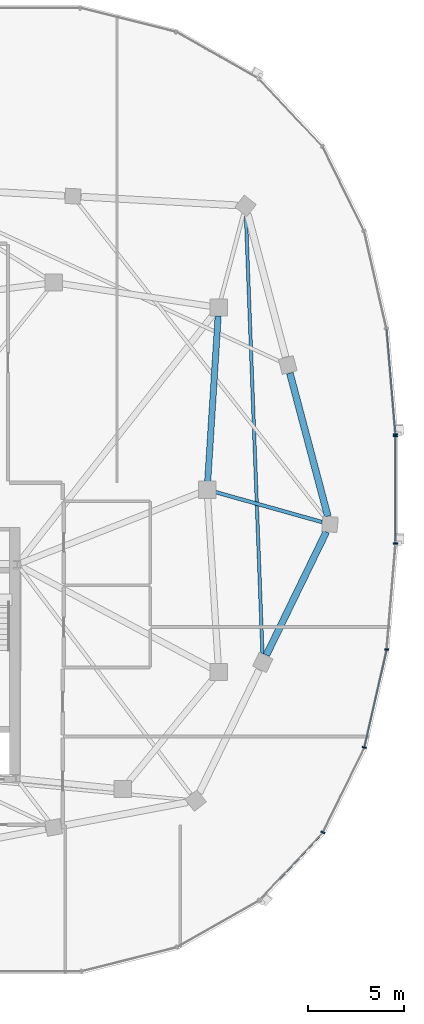
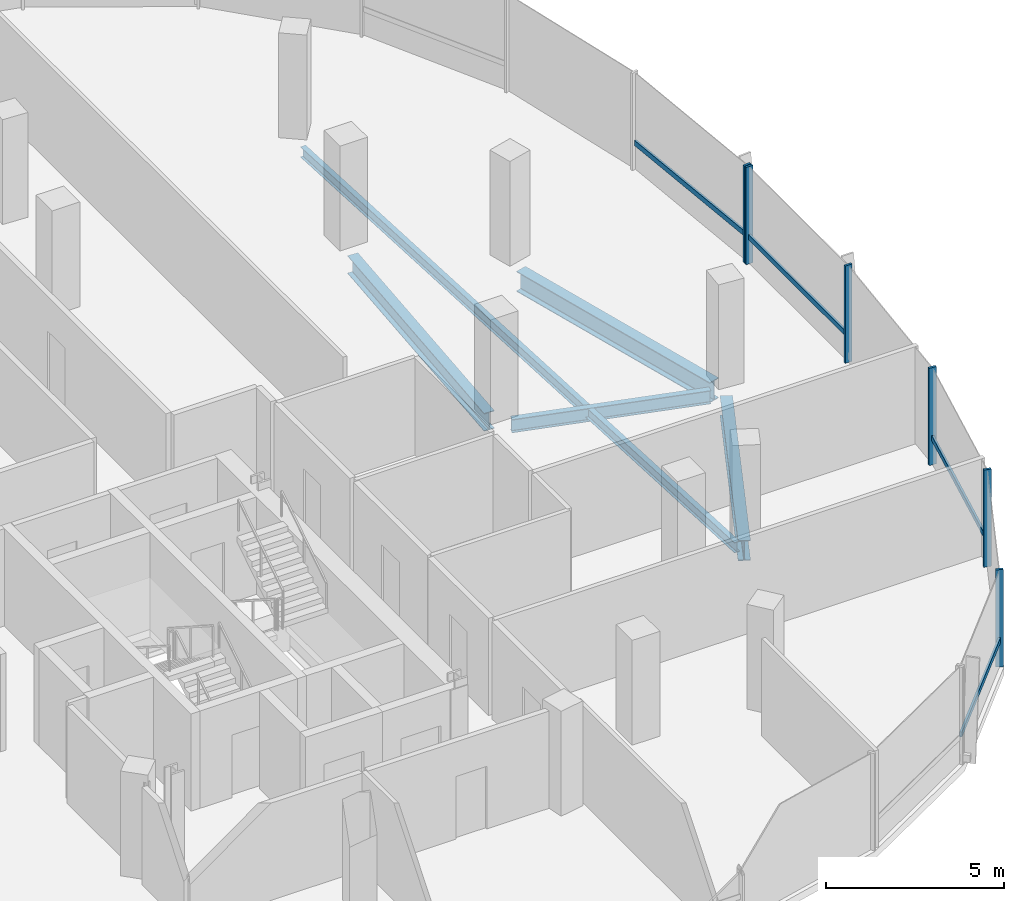
# One storey, part 9 of 25: 10 members, 5 beams, 2 elements without a shape of their own.
"""IFC4 building model written with IfcOpenShell, lengths in metres."""

from ifc_helpers import new_model, si_unit, direction, frame, origin, origin_2d, place, context, subcontext, project, spatial, rectangle, i_section, extrude, material, material_profile, profile_set, type_object, element, aggregate, save


model = new_model("IFC4")

# Units and contexts
model_context = context("Model", 3, precision=1e-05, world=origin(), true_north=direction((0.0, 1.0)))
body_context = subcontext(model_context, "Body", "Model", "MODEL_VIEW")
ifc_project = project(units=[si_unit("LENGTHUNIT", "METRE"), si_unit("AREAUNIT", "SQUARE_METRE"), si_unit("VOLUMEUNIT", "CUBIC_METRE"), si_unit("PLANEANGLEUNIT", "RADIAN"), si_unit("MASSUNIT", "GRAM", prefix="KILO"), si_unit("THERMODYNAMICTEMPERATUREUNIT", "KELVIN"), si_unit("POWERUNIT", "WATT")], contexts=[model_context])

# Site, building, storey
site_placement = place(None, origin())
site = spatial("IfcSite", under=ifc_project, at=site_placement, CompositionType="ELEMENT")
building_placement = place(site_placement, origin())
building = spatial("IfcBuilding", under=site, at=building_placement, Name="Cundina Bronze Exchange", CompositionType="ELEMENT")
storey_placement = place(building_placement, frame((0.0, 0.0, 239.60009765625)))
storey = spatial("IfcBuildingStorey", under=building, at=storey_placement, Name="L63", CompositionType="ELEMENT", Elevation=239.60009765625)

# Beams
ifc_material_1 = material(Name="Steel ASTM A992 Grade 50", Category="steel")
ifc_material_profile_1 = material_profile(ifc_material_1, i_section(OverallWidth=0.19091796875, OverallDepth=0.4599609375, WebThickness=0.010009765625, FlangeThickness=0.01611328125, FilletRadius=0.011962890625, at=origin_2d()), Name="W18X55", Category="steel")
ifc_profile_set_1 = profile_set([ifc_material_profile_1], Name="Steel ASTM A992 Grade 50")
beam_type_1 = type_object("IfcBeamType", Name="BM-FLR-W18B", PredefinedType="BEAM", material=ifc_profile_set_1)
beam_1_placement = place(storey_placement, frame((41.62158203125, -0.11865234375, -0.489990234375), z_axis=(0.96265679604, -0.270724755127, 0.0), x_axis=(0.270724755127, 0.96265679604, 0.0)))
element("IfcBeam", 1, at=beam_1_placement, inside=storey, type_object=beam_type_1, Name="L63 Leg E Chordal Floor Beam 08", PredefinedType="BEAM", context=body_context, shape_type="SweptSolid", body=[
    extrude(i_section(OverallWidth=0.19091796875, OverallDepth=0.4599609375, WebThickness=0.010009765625, FlangeThickness=0.01611328125, FilletRadius=0.011962890625, at=origin_2d()), origin(), (0.0, 0.0, 1.0), 5.7724609375),
])
ifc_material_profile_2 = material_profile(ifc_material_1, i_section(OverallWidth=0.172119140625, OverallDepth=0.35791015625, WebThickness=0.0078125, FlangeThickness=0.01318359375, FilletRadius=0.010009765625, at=origin_2d()), Name="W14X38", Category="steel")
ifc_profile_set_2 = profile_set([ifc_material_profile_2], Name="Steel ASTM A992 Grade 50")
beam_type_2 = type_object("IfcBeamType", Name="BM-JST-W14", PredefinedType="JOIST", material=ifc_profile_set_2)
beam_2_placement = place(storey_placement, frame((44.08349609375, -8.562255859375, -0.439208984375), z_axis=(-0.037790216102, 0.999285694667, 0.0), x_axis=(-0.999285694667, -0.037790216102, 0.0)))
element("IfcBeam", 2, at=beam_2_placement, inside=storey, type_object=beam_type_2, Name="L63 Leg E Lobe Floor Joist 07-10", PredefinedType="JOIST", context=body_context, shape_type="SweptSolid", body=[
    extrude(i_section(OverallWidth=0.172119140625, OverallDepth=0.35791015625, WebThickness=0.0078125, FlangeThickness=0.01318359375, FilletRadius=0.010009765625, at=origin_2d()), origin(), (0.0, 0.0, 1.0), 22.94091796875),
])
ifc_material_profile_3 = material_profile(ifc_material_1, i_section(OverallWidth=0.324951171875, OverallDepth=0.615966796875, WebThickness=0.013916015625, FlangeThickness=0.021484375, FilletRadius=0.01611328125, at=origin_2d()), Name="W24X117", Category="steel")
ifc_profile_set_3 = profile_set([ifc_material_profile_3], Name="Steel ASTM A992 Grade 50")
beam_type_3 = type_object("IfcBeamType", Name="BM-RING-W24", PredefinedType="USERDEFINED", material=ifc_profile_set_3)
beam_3_placement = place(storey_placement, frame((41.2275390625, 0.43701171875, -0.568115234375), z_axis=(0.063046519736, 0.998010589297, 0.0), x_axis=(-0.998010589297, 0.063046519736, 0.0)))
element("IfcBeam", 3, at=beam_3_placement, inside=storey, type_object=beam_type_3, Name="L63 E Inner Structural Ring Girder 04", ObjectType="GIRDER", PredefinedType="USERDEFINED", context=body_context, shape_type="SweptSolid", body=[
    extrude(i_section(OverallWidth=0.324951171875, OverallDepth=0.615966796875, WebThickness=0.013916015625, FlangeThickness=0.021484375, FilletRadius=0.01611328125, at=origin_2d()), origin(), (0.0, 0.0, 1.0), 8.64306640625),
])
ifc_material_profile_4 = material_profile(ifc_material_1, i_section(OverallWidth=0.35498046875, OverallDepth=0.695068359375, WebThickness=0.015380859375, FlangeThickness=0.02490234375, FilletRadius=0.01806640625, at=origin_2d()), Name="W27X146", Category="steel")
ifc_profile_set_4 = profile_set([ifc_material_profile_4], Name="Steel ASTM A992 Grade 50")
beam_type_4 = type_object("IfcBeamType", Name="BM-RING-W27", PredefinedType="USERDEFINED", material=ifc_profile_set_4)
beam_4_placement = place(storey_placement, frame((44.29150390625, -8.606201171875, -0.607666015625), z_axis=(0.437173087764, 0.89937739094, 0.0), x_axis=(-0.89937739094, 0.437173087764, 0.0)))
element("IfcBeam", 4, at=beam_4_placement, inside=storey, type_object=beam_type_4, Name="L63 E Perimeter Ring Girder 07", ObjectType="GIRDER", PredefinedType="USERDEFINED", context=body_context, shape_type="SweptSolid", body=[
    extrude(i_section(OverallWidth=0.35498046875, OverallDepth=0.695068359375, WebThickness=0.015380859375, FlangeThickness=0.02490234375, FilletRadius=0.01806640625, at=origin_2d()), origin(), (0.0, 0.0, 1.0), 7.1298828125),
])
beam_5_placement = place(storey_placement, frame((47.48779296875, -1.376708984375, -0.607666015625), z_axis=(-0.256211934474, 0.966620631185, 0.0), x_axis=(-0.966620631185, -0.256211934474, 0.0)))
element("IfcBeam", 5, at=beam_5_placement, inside=storey, type_object=beam_type_4, Name="L63 E Perimeter Ring Girder 08", ObjectType="GIRDER", PredefinedType="USERDEFINED", context=body_context, shape_type="SweptSolid", body=[
    extrude(i_section(OverallWidth=0.35498046875, OverallDepth=0.695068359375, WebThickness=0.015380859375, FlangeThickness=0.02490234375, FilletRadius=0.01806640625, at=origin_2d()), origin(), (0.0, 0.0, 1.0), 7.710693359375),
])

# Curtain wall, member
ifc_material_2 = material(Name="Anodised Bronze Aluminium 6063-T6", Category="aluminium")
curtain_wall_type = type_object("IfcCurtainWallType", Name="CWS-SKG-BRG", PredefinedType="NOTDEFINED", material=ifc_material_2)
curtain_wall_1_placement = place(storey_placement, origin())
curtain_wall_1 = element("IfcCurtainWall", 6, at=curtain_wall_1_placement, inside=storey, type_object=curtain_wall_type, Name="L63 CW-06 Curtain Wall Run CWR-L63-E1", PredefinedType="NOTDEFINED")
ifc_material_profile_5 = material_profile(ifc_material_2, rectangle(XDim=0.074951171875, YDim=0.219970703125, at=origin_2d()), Name="AL75X220", Category="aluminium")
ifc_profile_set_5 = profile_set([ifc_material_profile_5], Name="Anodised Bronze Aluminium 6063-T6")
member_type_1 = type_object("IfcMemberType", Name="CWM-MUL-220", PredefinedType="MULLION", material=ifc_profile_set_5)
member_1_placement = place(storey_placement, frame((51.01513671875, 2.885498046875, 0.0), z_axis=(0.0, 0.0, 1.0), x_axis=(-0.083677843332, 0.99649285925, 0.0)))
member_1 = element("IfcMember", 7, at=member_1_placement, type_object=member_type_1, Name="CW-06 Mullion 1", PredefinedType="MULLION", context=body_context, shape_type="SweptSolid", body=[
    extrude(rectangle(XDim=0.074951171875, YDim=0.219970703125, at=origin_2d()), origin(), (0.0, 0.0, 1.0), 3.33984375),
])

# Curtain wall, members
curtain_wall_2_placement = place(storey_placement, origin())
curtain_wall_2 = element("IfcCurtainWall", 8, at=curtain_wall_2_placement, inside=storey, type_object=curtain_wall_type, Name="L63 CW-06 Curtain Wall Run CWR-L63-E4", PredefinedType="NOTDEFINED")
member_2_placement = place(storey_placement, frame((47.2333984375, -17.856689453125, 0.0), z_axis=(0.0, 0.0, 1.0), x_axis=(0.440566004113, 0.897720221461, 0.0)))
member_2 = element("IfcMember", 9, at=member_2_placement, type_object=member_type_1, Name="CW-06 Mullion 2", PredefinedType="MULLION", context=body_context, shape_type="SweptSolid", body=[
    extrude(rectangle(XDim=0.074951171875, YDim=0.219970703125, at=origin_2d()), origin(), (0.0, 0.0, 1.0), 3.33984375),
])
member_3_placement = place(storey_placement, frame((49.39404296875, -13.433837890625, 0.0), z_axis=(0.0, 0.0, 1.0), x_axis=(0.223250116011, 0.974761194191, 0.0)))
member_3 = element("IfcMember", 10, at=member_3_placement, type_object=member_type_1, Name="CW-06 Mullion 3", PredefinedType="MULLION", context=body_context, shape_type="SweptSolid", body=[
    extrude(rectangle(XDim=0.074951171875, YDim=0.219970703125, at=origin_2d()), origin(), (0.0, 0.0, 1.0), 3.33984375),
])
member_4_placement = place(storey_placement, frame((50.557861328125, -8.32568359375, 0.0), z_axis=(0.0, 0.0, 1.0), x_axis=(0.083677843332, 0.99649285925, 0.0)))
member_4 = element("IfcMember", 11, at=member_4_placement, type_object=member_type_1, Name="CW-06 Mullion 4", PredefinedType="MULLION", context=body_context, shape_type="SweptSolid", body=[
    extrude(rectangle(XDim=0.074951171875, YDim=0.219970703125, at=origin_2d()), origin(), (0.0, 0.0, 1.0), 3.33984375),
])
member_5_placement = place(storey_placement, frame((51.01904296875, -2.79150390625, 0.0), z_axis=(0.0, 0.0, 1.0), x_axis=(0.0, 1.0, 0.0)))
member_5 = element("IfcMember", 12, at=member_5_placement, type_object=member_type_1, Name="CW-06 Mullion 5", PredefinedType="MULLION", context=body_context, shape_type="SweptSolid", body=[
    extrude(rectangle(XDim=0.074951171875, YDim=0.219970703125, at=origin_2d()), origin(), (0.0, 0.0, 1.0), 3.33984375),
])
member_6_placement = place(storey_placement, frame((51.01904296875, 2.79150390625, 0.0), z_axis=(0.0, 0.0, 1.0), x_axis=(0.0, 1.0, 0.0)))
member_6 = element("IfcMember", 13, at=member_6_placement, type_object=member_type_1, Name="CW-06 End Mullion", PredefinedType="MULLION", context=body_context, shape_type="SweptSolid", body=[
    extrude(rectangle(XDim=0.074951171875, YDim=0.219970703125, at=origin_2d()), origin(), (0.0, 0.0, 1.0), 3.33984375),
])

# Member
ifc_material_profile_6 = material_profile(ifc_material_2, rectangle(XDim=0.070068359375, YDim=0.179931640625, at=origin_2d()), Name="AL70X180", Category="aluminium")
ifc_profile_set_6 = profile_set([ifc_material_profile_6], Name="Anodised Bronze Aluminium 6063-T6")
member_type_2 = type_object("IfcMemberType", Name="CWM-TRN-180", PredefinedType="USERDEFINED", material=ifc_profile_set_6)
member_7_placement = place(storey_placement, frame((51.01171875, 2.926513671875, 0.919921875), z_axis=(-0.083756005485, 0.996486292703, 0.0), x_axis=(-0.996486292703, -0.083756005485, 0.0)))
member_7 = element("IfcMember", 14, at=member_7_placement, type_object=member_type_2, Name="CW-06 Spandrel Transom 1", ObjectType="TRANSOM", PredefinedType="USERDEFINED", context=body_context, shape_type="SweptSolid", body=[
    extrude(rectangle(XDim=0.070068359375, YDim=0.179931640625, at=origin_2d()), origin(), (0.0, 0.0, 1.0), 5.459716796875),
])

aggregate(curtain_wall_1, [member_1, member_7])

member_8_placement = place(storey_placement, frame((43.968505859375, -21.349609375, 0.919921875), z_axis=(0.684328474899, 0.729173873944, 0.0), x_axis=(-0.729173873944, 0.684328474899, 0.0)))
member_8 = element("IfcMember", 15, at=member_8_placement, type_object=member_type_2, Name="CW-06 Spandrel Transom 1", ObjectType="TRANSOM", PredefinedType="USERDEFINED", context=body_context, shape_type="SweptSolid", body=[
    extrude(rectangle(XDim=0.070068359375, YDim=0.179931640625, at=origin_2d()), origin(), (0.0, 0.0, 1.0), 4.758056640625),
])

member_9_placement = place(storey_placement, frame((49.4033203125, -13.3935546875, 0.919921875), z_axis=(0.223257048806, 0.974759606343, 0.0), x_axis=(-0.974759606343, 0.223257048806, 0.0)))
member_9 = element("IfcMember", 16, at=member_9_placement, type_object=member_type_2, Name="CW-06 Spandrel Transom 3", ObjectType="TRANSOM", PredefinedType="USERDEFINED", context=body_context, shape_type="SweptSolid", body=[
    extrude(rectangle(XDim=0.070068359375, YDim=0.179931640625, at=origin_2d()), origin(), (0.0, 0.0, 1.0), 5.15283203125),
])

member_10_placement = place(storey_placement, frame((51.01904296875, -2.750244140625, 0.919921875), z_axis=(0.0, 1.0, 0.0), x_axis=(-1.0, 0.0, 0.0)))
member_10 = element("IfcMember", 17, at=member_10_placement, type_object=member_type_2, Name="CW-06 Spandrel Transom 5", ObjectType="TRANSOM", PredefinedType="USERDEFINED", context=body_context, shape_type="SweptSolid", body=[
    extrude(rectangle(XDim=0.070068359375, YDim=0.179931640625, at=origin_2d()), origin(), (0.0, 0.0, 1.0), 5.50048828125),
])

aggregate(curtain_wall_2, [member_8, member_2, member_3, member_9, member_4, member_5, member_6, member_10])

save(model, "model.ifc")
